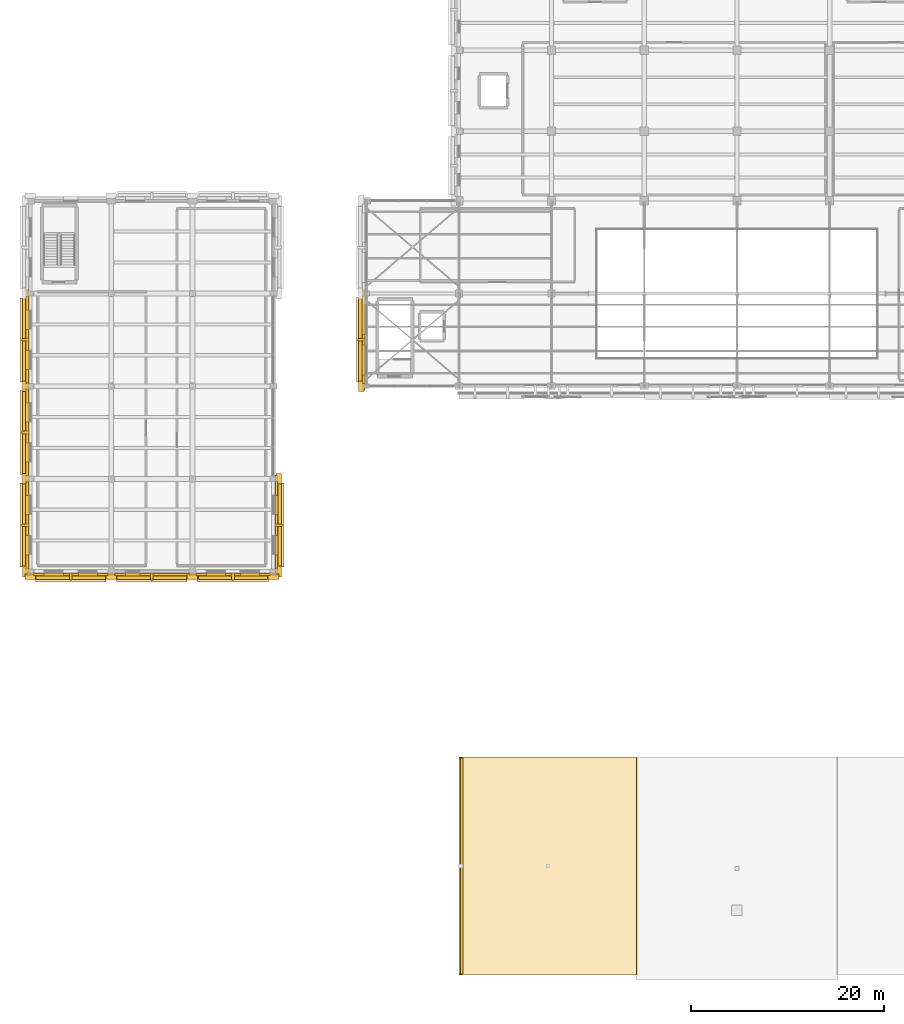
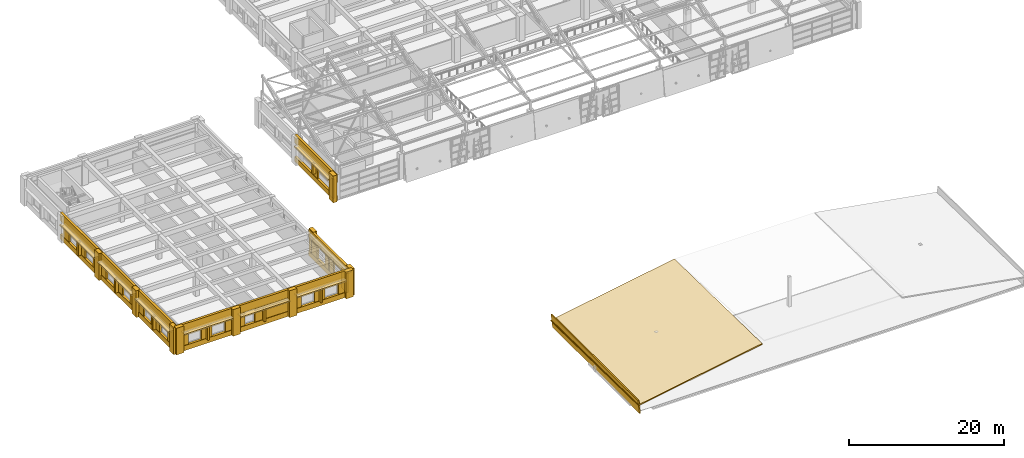
# One storey, part 52 of 58: 66 coverings, 8 shading devices.
"""IFC4 building model written with IfcOpenShell, lengths in metres."""

from ifc_helpers import new_model, si_unit, direction, frame, origin, origin_2d, place, context, subcontext, project, spatial, polyline, rectangle, outline, extrude, material, layer, layer_set, type_object, element, save


model = new_model("IFC4")

# Units and contexts
model_context = context("Model", 3, precision=1e-05, world=origin(), true_north=direction((0.0, 1.0)))
body_context = subcontext(model_context, "Body", "Model", "MODEL_VIEW")
ifc_project = project(units=[si_unit("LENGTHUNIT", "METRE"), si_unit("AREAUNIT", "SQUARE_METRE"), si_unit("VOLUMEUNIT", "CUBIC_METRE"), si_unit("PLANEANGLEUNIT", "RADIAN"), si_unit("MASSUNIT", "GRAM", prefix="KILO")], contexts=[model_context])

# Site, building, storey
site_placement = place(None, origin())
site = spatial("IfcSite", under=ifc_project, at=site_placement, CompositionType="ELEMENT")
building_placement = place(site_placement, origin())
building = spatial("IfcBuilding", under=site, at=building_placement, Name="Bempovik Park Faculty of Sciences", CompositionType="ELEMENT")
storey_placement = place(building_placement, frame((0.0, 0.0, 18.300048828125)))
storey = spatial("IfcBuildingStorey", under=building, at=storey_placement, Name="L04", CompositionType="ELEMENT", Elevation=18.300048828125)

# Coverings
ifc_material_1 = material(Name="White reconstituted limestone precast C40/50", Category="masonry")
ifc_layer_1 = layer(ifc_material_1, 0.1201171875)
ifc_layer_set_1 = layer_set([ifc_layer_1], Name="White reconstituted limestone precast C40/50")
covering_type_1 = type_object("IfcCoveringType", Name="CL-01 Crystal Limestone Facet 120mm", PredefinedType="CLADDING", material=ifc_layer_set_1)
covering_1_placement = place(storey_placement, frame((60.0, 6.800048828125, 1.300048828125), z_axis=(-0.171313457304, 0.017441226726, 0.985062182279), x_axis=(0.98521204265, 0.0, 0.171339519717)))
element("IfcCovering", 1, at=covering_1_placement, inside=storey, type_object=covering_type_1, Name="Learning Commons Elevated Crystal Roof Facet LC-FAC-SW", PredefinedType="CLADDING", context=body_context, shape_type="SweptSolid", body=[
    extrude(outline(polyline([(0.0, 0.0), (18.676083469558627, -6.938893903907228e-18), (18.607522563109235, 22.60329169698016), (-0.06856090644939188, 22.60329169698016), (0.0, 0.0)])), origin(), (0.0, 0.0, -1.0), 0.159912109375),
])
covering_2_placement = place(storey_placement, frame((60.31884765625, 18.10009765625, -0.193359375), z_axis=(-0.113203213768, 0.0, 0.993571855677), x_axis=(0.0, 1.0, 0.0)))
element("IfcCovering", 2, at=covering_2_placement, inside=storey, type_object=covering_type_1, Name="Learning Commons Crystal Side Clerestory Facet LC-CRYS-W", PredefinedType="CLADDING", context=body_context, shape_type="SweptSolid", body=[
    extrude(rectangle(XDim=22.39990234375, YDim=0.179931640625, at=origin_2d()), origin(), (0.0, 0.0, 1.0), 2.10009765625),
])
ifc_material_2 = material(Name="Precast concrete C40/50", Category="concrete")
ifc_layer_2 = layer(ifc_material_2, 0.179931640625)
ifc_layer_set_2 = layer_set([ifc_layer_2], Name="Precast concrete C40/50")
covering_type_2 = type_object("IfcCoveringType", Name="CL-02 Classical Cornice Band 180mm", PredefinedType="CLADDING", material=ifc_layer_set_2)
for number, where, z_axis, x_axis, name in (
    (3, (15.0, 53.39990234375, 2.81005859375), (0.0, 0.0, 1.0), (1.0, 0.0, 0.0), "L04 Classical Stone Solar Window Hood EW-L04-9303"),
    (4, (15.0, 63.0, 2.81005859375), (0.0, 0.0, 1.0), (1.0, 0.0, 0.0), "L04 Classical Stone Solar Window Hood EW-L04-9316"),
    (5, (15.0, 72.60009765625, 2.81005859375), (0.0, 0.0, 1.0), (1.0, 0.0, 0.0), "L04 Classical Stone Solar Window Hood EW-L04-9328"),
    (6, (41.39990234375, 53.39990234375, 2.81005859375), (0.0, 0.0, 1.0), (1.0, 0.0, 0.0), "L04 Classical Stone Solar Window Hood EW-L04-9381"),
):
    element("IfcCovering", number, at=place(storey_placement, frame(where, z_axis=z_axis, x_axis=x_axis)), inside=storey, type_object=covering_type_2, Name=name, PredefinedType="CLADDING", context=body_context, shape_type="SweptSolid", body=[
        extrude(rectangle(XDim=0.919921875, YDim=8.7060546875, at=origin_2d()), origin(), (0.0, 0.0, 1.0), 0.219970703125),
    ])
for number, where, z_axis, x_axis, name in (
    (7, (19.800048828125, 48.0, 2.81005859375), (0.0, 0.0, 1.0), (1.0, 0.0, 0.0), "L04 Classical Stone Solar Window Hood EW-L04-9443"),
    (8, (28.199951171875, 48.0, 2.60986328125), (0.0, 0.0, 1.0), (1.0, 0.0, 0.0), "L04 Classical Stone Solar Window Hood EW-L04-9456"),
    (9, (36.60009765625, 48.0, 2.81005859375), (0.0, 0.0, 1.0), (1.0, 0.0, 0.0), "L04 Classical Stone Solar Window Hood EW-L04-9466"),
):
    element("IfcCovering", number, at=place(storey_placement, frame(where, z_axis=z_axis, x_axis=x_axis)), inside=storey, type_object=covering_type_2, Name=name, PredefinedType="CLADDING", context=body_context, shape_type="SweptSolid", body=[
        extrude(rectangle(XDim=7.325927734375, YDim=0.919921875, at=origin_2d()), origin(), (0.0, 0.0, 1.0), 0.219970703125),
    ])
covering_3_placement = place(storey_placement, frame((49.830078125, 72.60009765625, 2.91015625), z_axis=(0.0, 0.0, 1.0), x_axis=(1.0, 0.0, 0.0)))
element("IfcCovering", 10, at=covering_3_placement, inside=storey, type_object=covering_type_2, Name="L04 Classical Stone Solar Window Hood EW-L04-9658", PredefinedType="CLADDING", context=body_context, shape_type="SweptSolid", body=[
    extrude(rectangle(XDim=0.919921875, YDim=8.74609375, at=origin_2d()), origin(), (0.0, 0.0, 1.0), 0.219970703125),
])
ifc_layer_3 = layer(ifc_material_1, 0.239990234375)
ifc_layer_set_3 = layer_set([ifc_layer_3], Name="White reconstituted limestone precast C40/50")
covering_type_3 = type_object("IfcCoveringType", Name="CL-03 Classical Fluted Limestone Pilaster 240mm", PredefinedType="CLADDING", material=ifc_layer_set_3)
covering_4_placement = place(storey_placement, frame((15.2900390625, 53.39990234375, 2.919921875), z_axis=(0.0, 0.0, 1.0), x_axis=(1.0, 0.0, 0.0)))
element("IfcCovering", 11, at=covering_4_placement, inside=storey, type_object=covering_type_3, Name="L04 Classical Limestone Spandrel Entablature EW-L04-9303", PredefinedType="CLADDING", context=body_context, shape_type="SweptSolid", body=[
    extrude(rectangle(XDim=0.340087890625, YDim=10.406005859375, at=origin_2d()), origin(), (0.0, 0.0, 1.0), 1.280029296875),
])
covering_5_placement = place(storey_placement, frame((15.2900390625, 53.39990234375, 0.0), z_axis=(0.0, 0.0, 1.0), x_axis=(1.0, 0.0, 0.0)))
element("IfcCovering", 12, at=covering_5_placement, inside=storey, type_object=covering_type_3, Name="L04 Classical Limestone Sill Dado EW-L04-9303", PredefinedType="CLADDING", context=body_context, shape_type="SweptSolid", body=[
    extrude(rectangle(XDim=0.340087890625, YDim=10.406005859375, at=origin_2d()), origin(), (0.0, 0.0, 1.0), 0.780029296875),
])
for number, where, z_axis, x_axis, name in (
    (13, (15.070068359375, 48.60009765625, 0.0), (0.0, 0.0, 1.0), (1.0, 0.0, 0.0), "L04 Classical Fluted Stone Pilaster PIL-BA-L04-151-486"),
    (14, (15.070068359375, 58.199951171875, 0.0), (0.0, 0.0, 1.0), (1.0, 0.0, 0.0), "L04 Classical Fluted Stone Pilaster PIL-BA-L04-151-582"),
):
    element("IfcCovering", number, at=place(storey_placement, frame(where, z_axis=z_axis, x_axis=x_axis)), inside=storey, type_object=covering_type_3, Name=name, PredefinedType="CLADDING", context=body_context, shape_type="SweptSolid", body=[
        extrude(rectangle(XDim=0.580078125, YDim=1.10009765625, at=origin_2d()), origin(), (0.0, 0.0, 1.0), 4.199951171875),
    ])
covering_6_placement = place(storey_placement, frame((15.300048828125, 49.599609375, 0.0), z_axis=(0.0, 0.0, 1.0), x_axis=(1.0, 0.0, 0.0)))
element("IfcCovering", 15, at=covering_6_placement, inside=storey, type_object=covering_type_3, Name="L04 White Limestone Wall Cheek EW-L04-9303-0", PredefinedType="CLADDING", context=body_context, shape_type="SweptSolid", body=[
    extrude(rectangle(XDim=0.239990234375, YDim=1.455078125, at=origin_2d()), origin(), (0.0, 0.0, 1.0), 3.080078125),
])
covering_7_placement = place(storey_placement, frame((15.300048828125, 53.39990234375, 0.0), z_axis=(0.0, 0.0, 1.0), x_axis=(1.0, 0.0, 0.0)))
element("IfcCovering", 16, at=covering_7_placement, inside=storey, type_object=covering_type_3, Name="L04 White Limestone Wall Cheek EW-L04-9303-2", PredefinedType="CLADDING", context=body_context, shape_type="SweptSolid", body=[
    extrude(rectangle(XDim=0.239990234375, YDim=2.185791015625, at=origin_2d()), origin(), (0.0, 0.0, 1.0), 3.080078125),
])
covering_8_placement = place(storey_placement, frame((15.300048828125, 57.200439453125, 0.0), z_axis=(0.0, 0.0, 1.0), x_axis=(1.0, 0.0, 0.0)))
element("IfcCovering", 17, at=covering_8_placement, inside=storey, type_object=covering_type_3, Name="L04 White Limestone Wall Cheek EW-L04-9303-4", PredefinedType="CLADDING", context=body_context, shape_type="SweptSolid", body=[
    extrude(rectangle(XDim=0.239990234375, YDim=1.455078125, at=origin_2d()), origin(), (0.0, 0.0, 1.0), 3.080078125),
])
covering_9_placement = place(storey_placement, frame((15.090087890625, 53.39990234375, 0.699951171875), z_axis=(0.0, 0.0, 1.0), x_axis=(1.0, 0.0, 0.0)))
element("IfcCovering", 18, at=covering_9_placement, inside=storey, type_object=covering_type_3, Name="L04 Classical Vertical Stone Shading Fin EW-L04-9303", PredefinedType="CLADDING", context=body_context, shape_type="SweptSolid", body=[
    extrude(rectangle(XDim=0.719970703125, YDim=0.280029296875, at=origin_2d()), origin(), (0.0, 0.0, 1.0), 2.14990234375),
])
covering_10_placement = place(storey_placement, frame((15.2900390625, 63.0, 2.919921875), z_axis=(0.0, 0.0, 1.0), x_axis=(1.0, 0.0, 0.0)))
element("IfcCovering", 19, at=covering_10_placement, inside=storey, type_object=covering_type_3, Name="L04 Classical Limestone Spandrel Entablature EW-L04-9316", PredefinedType="CLADDING", context=body_context, shape_type="SweptSolid", body=[
    extrude(rectangle(XDim=0.340087890625, YDim=10.406005859375, at=origin_2d()), origin(), (0.0, 0.0, 1.0), 1.280029296875),
])
covering_11_placement = place(storey_placement, frame((15.2900390625, 63.0, 0.0), z_axis=(0.0, 0.0, 1.0), x_axis=(1.0, 0.0, 0.0)))
element("IfcCovering", 20, at=covering_11_placement, inside=storey, type_object=covering_type_3, Name="L04 Classical Limestone Sill Dado EW-L04-9316", PredefinedType="CLADDING", context=body_context, shape_type="SweptSolid", body=[
    extrude(rectangle(XDim=0.340087890625, YDim=10.406005859375, at=origin_2d()), origin(), (0.0, 0.0, 1.0), 0.780029296875),
])
covering_12_placement = place(storey_placement, frame((15.070068359375, 67.800048828125, 0.0), z_axis=(0.0, 0.0, 1.0), x_axis=(1.0, 0.0, 0.0)))
element("IfcCovering", 21, at=covering_12_placement, inside=storey, type_object=covering_type_3, Name="L04 Classical Fluted Stone Pilaster PIL-BA-L04-151-678", PredefinedType="CLADDING", context=body_context, shape_type="SweptSolid", body=[
    extrude(rectangle(XDim=0.580078125, YDim=1.10009765625, at=origin_2d()), origin(), (0.0, 0.0, 1.0), 4.199951171875),
])
covering_13_placement = place(storey_placement, frame((15.300048828125, 59.19970703125, 0.0), z_axis=(0.0, 0.0, 1.0), x_axis=(1.0, 0.0, 0.0)))
element("IfcCovering", 22, at=covering_13_placement, inside=storey, type_object=covering_type_3, Name="L04 White Limestone Wall Cheek EW-L04-9316-0", PredefinedType="CLADDING", context=body_context, shape_type="SweptSolid", body=[
    extrude(rectangle(XDim=0.239990234375, YDim=1.455078125, at=origin_2d()), origin(), (0.0, 0.0, 1.0), 3.080078125),
])
covering_14_placement = place(storey_placement, frame((15.300048828125, 63.0, 0.0), z_axis=(0.0, 0.0, 1.0), x_axis=(1.0, 0.0, 0.0)))
element("IfcCovering", 23, at=covering_14_placement, inside=storey, type_object=covering_type_3, Name="L04 White Limestone Wall Cheek EW-L04-9316-2", PredefinedType="CLADDING", context=body_context, shape_type="SweptSolid", body=[
    extrude(rectangle(XDim=0.239990234375, YDim=2.185791015625, at=origin_2d()), origin(), (0.0, 0.0, 1.0), 3.080078125),
])
covering_15_placement = place(storey_placement, frame((15.300048828125, 66.80029296875, 0.0), z_axis=(0.0, 0.0, 1.0), x_axis=(1.0, 0.0, 0.0)))
element("IfcCovering", 24, at=covering_15_placement, inside=storey, type_object=covering_type_3, Name="L04 White Limestone Wall Cheek EW-L04-9316-4", PredefinedType="CLADDING", context=body_context, shape_type="SweptSolid", body=[
    extrude(rectangle(XDim=0.239990234375, YDim=1.455078125, at=origin_2d()), origin(), (0.0, 0.0, 1.0), 3.080078125),
])
covering_16_placement = place(storey_placement, frame((15.090087890625, 63.0, 0.699951171875), z_axis=(0.0, 0.0, 1.0), x_axis=(1.0, 0.0, 0.0)))
element("IfcCovering", 25, at=covering_16_placement, inside=storey, type_object=covering_type_3, Name="L04 Classical Vertical Stone Shading Fin EW-L04-9316", PredefinedType="CLADDING", context=body_context, shape_type="SweptSolid", body=[
    extrude(rectangle(XDim=0.719970703125, YDim=0.280029296875, at=origin_2d()), origin(), (0.0, 0.0, 1.0), 2.14990234375),
])
covering_17_placement = place(storey_placement, frame((15.2900390625, 72.60009765625, 2.919921875), z_axis=(0.0, 0.0, 1.0), x_axis=(1.0, 0.0, 0.0)))
element("IfcCovering", 26, at=covering_17_placement, inside=storey, type_object=covering_type_3, Name="L04 Classical Limestone Spandrel Entablature EW-L04-9328", PredefinedType="CLADDING", context=body_context, shape_type="SweptSolid", body=[
    extrude(rectangle(XDim=0.340087890625, YDim=10.406005859375, at=origin_2d()), origin(), (0.0, 0.0, 1.0), 1.280029296875),
])
covering_18_placement = place(storey_placement, frame((15.2900390625, 72.60009765625, 0.0), z_axis=(0.0, 0.0, 1.0), x_axis=(1.0, 0.0, 0.0)))
element("IfcCovering", 27, at=covering_18_placement, inside=storey, type_object=covering_type_3, Name="L04 Classical Limestone Sill Dado EW-L04-9328", PredefinedType="CLADDING", context=body_context, shape_type="SweptSolid", body=[
    extrude(rectangle(XDim=0.340087890625, YDim=10.406005859375, at=origin_2d()), origin(), (0.0, 0.0, 1.0), 0.780029296875),
])
covering_19_placement = place(storey_placement, frame((15.300048828125, 68.799560546875, 0.0), z_axis=(0.0, 0.0, 1.0), x_axis=(1.0, 0.0, 0.0)))
element("IfcCovering", 28, at=covering_19_placement, inside=storey, type_object=covering_type_3, Name="L04 White Limestone Wall Cheek EW-L04-9328-0", PredefinedType="CLADDING", context=body_context, shape_type="SweptSolid", body=[
    extrude(rectangle(XDim=0.239990234375, YDim=1.455078125, at=origin_2d()), origin(), (0.0, 0.0, 1.0), 3.080078125),
])
covering_20_placement = place(storey_placement, frame((15.300048828125, 72.60009765625, 0.0), z_axis=(0.0, 0.0, 1.0), x_axis=(1.0, 0.0, 0.0)))
element("IfcCovering", 29, at=covering_20_placement, inside=storey, type_object=covering_type_3, Name="L04 White Limestone Wall Cheek EW-L04-9328-2", PredefinedType="CLADDING", context=body_context, shape_type="SweptSolid", body=[
    extrude(rectangle(XDim=0.239990234375, YDim=2.185791015625, at=origin_2d()), origin(), (0.0, 0.0, 1.0), 3.080078125),
])
covering_21_placement = place(storey_placement, frame((15.300048828125, 76.400390625, 0.0), z_axis=(0.0, 0.0, 1.0), x_axis=(1.0, 0.0, 0.0)))
element("IfcCovering", 30, at=covering_21_placement, inside=storey, type_object=covering_type_3, Name="L04 White Limestone Wall Cheek EW-L04-9328-4", PredefinedType="CLADDING", context=body_context, shape_type="SweptSolid", body=[
    extrude(rectangle(XDim=0.239990234375, YDim=1.455078125, at=origin_2d()), origin(), (0.0, 0.0, 1.0), 3.080078125),
])
covering_22_placement = place(storey_placement, frame((15.090087890625, 72.60009765625, 0.699951171875), z_axis=(0.0, 0.0, 1.0), x_axis=(1.0, 0.0, 0.0)))
element("IfcCovering", 31, at=covering_22_placement, inside=storey, type_object=covering_type_3, Name="L04 Classical Vertical Stone Shading Fin EW-L04-9328", PredefinedType="CLADDING", context=body_context, shape_type="SweptSolid", body=[
    extrude(rectangle(XDim=0.719970703125, YDim=0.280029296875, at=origin_2d()), origin(), (0.0, 0.0, 1.0), 2.14990234375),
])
covering_23_placement = place(storey_placement, frame((41.110107421875, 53.39990234375, 2.919921875), z_axis=(0.0, 0.0, 1.0), x_axis=(1.0, 0.0, 0.0)))
element("IfcCovering", 32, at=covering_23_placement, inside=storey, type_object=covering_type_3, Name="L04 Classical Limestone Spandrel Entablature EW-L04-9381", PredefinedType="CLADDING", context=body_context, shape_type="SweptSolid", body=[
    extrude(rectangle(XDim=0.340087890625, YDim=10.406005859375, at=origin_2d()), origin(), (0.0, 0.0, 1.0), 1.280029296875),
])
covering_24_placement = place(storey_placement, frame((41.110107421875, 53.39990234375, 0.0), z_axis=(0.0, 0.0, 1.0), x_axis=(1.0, 0.0, 0.0)))
element("IfcCovering", 33, at=covering_24_placement, inside=storey, type_object=covering_type_3, Name="L04 Classical Limestone Sill Dado EW-L04-9381", PredefinedType="CLADDING", context=body_context, shape_type="SweptSolid", body=[
    extrude(rectangle(XDim=0.340087890625, YDim=10.406005859375, at=origin_2d()), origin(), (0.0, 0.0, 1.0), 0.780029296875),
])
for number, where, z_axis, x_axis, name in (
    (34, (41.330078125, 48.60009765625, 0.0), (0.0, 0.0, 1.0), (1.0, 0.0, 0.0), "L04 Classical Fluted Stone Pilaster PIL-BA-L04-413-486"),
    (35, (41.330078125, 58.199951171875, 0.0), (0.0, 0.0, 1.0), (1.0, 0.0, 0.0), "L04 Classical Fluted Stone Pilaster PIL-BA-L04-413-582"),
):
    element("IfcCovering", number, at=place(storey_placement, frame(where, z_axis=z_axis, x_axis=x_axis)), inside=storey, type_object=covering_type_3, Name=name, PredefinedType="CLADDING", context=body_context, shape_type="SweptSolid", body=[
        extrude(rectangle(XDim=0.580078125, YDim=1.10009765625, at=origin_2d()), origin(), (0.0, 0.0, 1.0), 4.199951171875),
    ])
covering_25_placement = place(storey_placement, frame((41.10009765625, 49.599609375, 0.0), z_axis=(0.0, 0.0, 1.0), x_axis=(1.0, 0.0, 0.0)))
element("IfcCovering", 36, at=covering_25_placement, inside=storey, type_object=covering_type_3, Name="L04 White Limestone Wall Cheek EW-L04-9381-0", PredefinedType="CLADDING", context=body_context, shape_type="SweptSolid", body=[
    extrude(rectangle(XDim=0.239990234375, YDim=1.455078125, at=origin_2d()), origin(), (0.0, 0.0, 1.0), 3.080078125),
])
covering_26_placement = place(storey_placement, frame((41.10009765625, 53.39990234375, 0.0), z_axis=(0.0, 0.0, 1.0), x_axis=(1.0, 0.0, 0.0)))
element("IfcCovering", 37, at=covering_26_placement, inside=storey, type_object=covering_type_3, Name="L04 White Limestone Wall Cheek EW-L04-9381-2", PredefinedType="CLADDING", context=body_context, shape_type="SweptSolid", body=[
    extrude(rectangle(XDim=0.239990234375, YDim=2.185791015625, at=origin_2d()), origin(), (0.0, 0.0, 1.0), 3.080078125),
])
covering_27_placement = place(storey_placement, frame((41.10009765625, 57.200439453125, 0.0), z_axis=(0.0, 0.0, 1.0), x_axis=(1.0, 0.0, 0.0)))
element("IfcCovering", 38, at=covering_27_placement, inside=storey, type_object=covering_type_3, Name="L04 White Limestone Wall Cheek EW-L04-9381-4", PredefinedType="CLADDING", context=body_context, shape_type="SweptSolid", body=[
    extrude(rectangle(XDim=0.239990234375, YDim=1.455078125, at=origin_2d()), origin(), (0.0, 0.0, 1.0), 3.080078125),
])
covering_28_placement = place(storey_placement, frame((41.31005859375, 53.39990234375, 0.699951171875), z_axis=(0.0, 0.0, 1.0), x_axis=(1.0, 0.0, 0.0)))
element("IfcCovering", 39, at=covering_28_placement, inside=storey, type_object=covering_type_3, Name="L04 Classical Vertical Stone Shading Fin EW-L04-9381", PredefinedType="CLADDING", context=body_context, shape_type="SweptSolid", body=[
    extrude(rectangle(XDim=0.719970703125, YDim=0.280029296875, at=origin_2d()), origin(), (0.0, 0.0, 1.0), 2.14990234375),
])
covering_29_placement = place(storey_placement, frame((19.800048828125, 48.2900390625, 2.919921875), z_axis=(0.0, 0.0, 1.0), x_axis=(1.0, 0.0, 0.0)))
element("IfcCovering", 40, at=covering_29_placement, inside=storey, type_object=covering_type_3, Name="L04 Classical Limestone Spandrel Entablature EW-L04-9443", PredefinedType="CLADDING", context=body_context, shape_type="SweptSolid", body=[
    extrude(rectangle(XDim=9.02587890625, YDim=0.340087890625, at=origin_2d()), origin(), (0.0, 0.0, 1.0), 1.280029296875),
])
covering_30_placement = place(storey_placement, frame((19.800048828125, 48.2900390625, 0.0), z_axis=(0.0, 0.0, 1.0), x_axis=(1.0, 0.0, 0.0)))
element("IfcCovering", 41, at=covering_30_placement, inside=storey, type_object=covering_type_3, Name="L04 Classical Limestone Sill Dado EW-L04-9443", PredefinedType="CLADDING", context=body_context, shape_type="SweptSolid", body=[
    extrude(rectangle(XDim=9.02587890625, YDim=0.340087890625, at=origin_2d()), origin(), (0.0, 0.0, 1.0), 0.780029296875),
])
for number, where, z_axis, x_axis, name in (
    (42, (15.60009765625, 48.070068359375, 0.0), (0.0, 0.0, 1.0), (1.0, 0.0, 0.0), "L04 Classical Fluted Stone Pilaster PIL-BA-L04-156-481"),
    (43, (24.0, 48.070068359375, 0.0), (0.0, 0.0, 1.0), (1.0, 0.0, 0.0), "L04 Classical Fluted Stone Pilaster PIL-BA-L04-240-481"),
):
    element("IfcCovering", number, at=place(storey_placement, frame(where, z_axis=z_axis, x_axis=x_axis)), inside=storey, type_object=covering_type_3, Name=name, PredefinedType="CLADDING", context=body_context, shape_type="SweptSolid", body=[
        extrude(rectangle(XDim=1.10009765625, YDim=0.580078125, at=origin_2d()), origin(), (0.0, 0.0, 1.0), 4.199951171875),
    ])
covering_31_placement = place(storey_placement, frame((16.50341796875, 48.300048828125, 0.0), z_axis=(0.0, 0.0, 1.0), x_axis=(1.0, 0.0, 0.0)))
element("IfcCovering", 44, at=covering_31_placement, inside=storey, type_object=covering_type_3, Name="L04 White Limestone Wall Cheek EW-L04-9443-0", PredefinedType="CLADDING", context=body_context, shape_type="SweptSolid", body=[
    extrude(rectangle(XDim=1.08251953125, YDim=0.239990234375, at=origin_2d()), origin(), (0.0, 0.0, 1.0), 3.080078125),
])
covering_32_placement = place(storey_placement, frame((19.800048828125, 48.300048828125, 0.0), z_axis=(0.0, 0.0, 1.0), x_axis=(1.0, 0.0, 0.0)))
element("IfcCovering", 45, at=covering_32_placement, inside=storey, type_object=covering_type_3, Name="L04 White Limestone Wall Cheek EW-L04-9443-2", PredefinedType="CLADDING", context=body_context, shape_type="SweptSolid", body=[
    extrude(rectangle(XDim=1.551025390625, YDim=0.239990234375, at=origin_2d()), origin(), (0.0, 0.0, 1.0), 3.080078125),
])
covering_33_placement = place(storey_placement, frame((23.0966796875, 48.300048828125, 0.0), z_axis=(0.0, 0.0, 1.0), x_axis=(1.0, 0.0, 0.0)))
element("IfcCovering", 46, at=covering_33_placement, inside=storey, type_object=covering_type_3, Name="L04 White Limestone Wall Cheek EW-L04-9443-4", PredefinedType="CLADDING", context=body_context, shape_type="SweptSolid", body=[
    extrude(rectangle(XDim=1.08251953125, YDim=0.239990234375, at=origin_2d()), origin(), (0.0, 0.0, 1.0), 3.080078125),
])
covering_34_placement = place(storey_placement, frame((19.800048828125, 48.090087890625, 0.699951171875), z_axis=(0.0, 0.0, 1.0), x_axis=(1.0, 0.0, 0.0)))
element("IfcCovering", 47, at=covering_34_placement, inside=storey, type_object=covering_type_3, Name="L04 Classical Vertical Stone Shading Fin EW-L04-9443", PredefinedType="CLADDING", context=body_context, shape_type="SweptSolid", body=[
    extrude(rectangle(XDim=0.280029296875, YDim=0.719970703125, at=origin_2d()), origin(), (0.0, 0.0, 1.0), 2.14990234375),
])
covering_35_placement = place(storey_placement, frame((28.199951171875, 48.2900390625, 2.919921875), z_axis=(0.0, 0.0, 1.0), x_axis=(1.0, 0.0, 0.0)))
element("IfcCovering", 48, at=covering_35_placement, inside=storey, type_object=covering_type_3, Name="L04 Classical Limestone Spandrel Entablature EW-L04-9456", PredefinedType="CLADDING", context=body_context, shape_type="SweptSolid", body=[
    extrude(rectangle(XDim=9.02587890625, YDim=0.340087890625, at=origin_2d()), origin(), (0.0, 0.0, 1.0), 1.280029296875),
])
covering_36_placement = place(storey_placement, frame((28.199951171875, 48.2900390625, 0.0), z_axis=(0.0, 0.0, 1.0), x_axis=(1.0, 0.0, 0.0)))
element("IfcCovering", 49, at=covering_36_placement, inside=storey, type_object=covering_type_3, Name="L04 Classical Limestone Sill Dado EW-L04-9456", PredefinedType="CLADDING", context=body_context, shape_type="SweptSolid", body=[
    extrude(rectangle(XDim=9.02587890625, YDim=0.340087890625, at=origin_2d()), origin(), (0.0, 0.0, 1.0), 0.780029296875),
])
covering_37_placement = place(storey_placement, frame((32.39990234375, 48.070068359375, 0.0), z_axis=(0.0, 0.0, 1.0), x_axis=(1.0, 0.0, 0.0)))
element("IfcCovering", 50, at=covering_37_placement, inside=storey, type_object=covering_type_3, Name="L04 Classical Fluted Stone Pilaster PIL-BA-L04-324-481", PredefinedType="CLADDING", context=body_context, shape_type="SweptSolid", body=[
    extrude(rectangle(XDim=1.10009765625, YDim=0.580078125, at=origin_2d()), origin(), (0.0, 0.0, 1.0), 4.199951171875),
])
covering_38_placement = place(storey_placement, frame((24.9130859375, 48.300048828125, 0.0), z_axis=(0.0, 0.0, 1.0), x_axis=(1.0, 0.0, 0.0)))
element("IfcCovering", 51, at=covering_38_placement, inside=storey, type_object=covering_type_3, Name="L04 White Limestone Wall Cheek EW-L04-9456-0", PredefinedType="CLADDING", context=body_context, shape_type="SweptSolid", body=[
    extrude(rectangle(XDim=1.102294921875, YDim=0.239990234375, at=origin_2d()), origin(), (0.0, 0.0, 1.0), 3.080078125),
])
covering_39_placement = place(storey_placement, frame((29.4912109375, 48.300048828125, 0.0), z_axis=(0.0, 0.0, 1.0), x_axis=(1.0, 0.0, 0.0)))
element("IfcCovering", 52, at=covering_39_placement, inside=storey, type_object=covering_type_3, Name="L04 White Limestone Wall Cheek EW-L04-9456-2", PredefinedType="CLADDING", context=body_context, shape_type="SweptSolid", body=[
    extrude(rectangle(XDim=5.09375, YDim=0.239990234375, at=origin_2d()), origin(), (0.0, 0.0, 1.0), 3.080078125),
])
covering_40_placement = place(storey_placement, frame((28.199951171875, 48.090087890625, 0.7001953125), z_axis=(0.0, 0.0, 1.0), x_axis=(1.0, 0.0, 0.0)))
element("IfcCovering", 53, at=covering_40_placement, inside=storey, type_object=covering_type_3, Name="L04 Classical Vertical Stone Shading Fin EW-L04-9456", PredefinedType="CLADDING", context=body_context, shape_type="SweptSolid", body=[
    extrude(rectangle(XDim=0.280029296875, YDim=0.719970703125, at=origin_2d()), origin(), (0.0, 0.0, 1.0), 1.949951171875),
])
covering_41_placement = place(storey_placement, frame((36.60009765625, 48.2900390625, 2.919921875), z_axis=(0.0, 0.0, 1.0), x_axis=(1.0, 0.0, 0.0)))
element("IfcCovering", 54, at=covering_41_placement, inside=storey, type_object=covering_type_3, Name="L04 Classical Limestone Spandrel Entablature EW-L04-9466", PredefinedType="CLADDING", context=body_context, shape_type="SweptSolid", body=[
    extrude(rectangle(XDim=9.02587890625, YDim=0.340087890625, at=origin_2d()), origin(), (0.0, 0.0, 1.0), 1.280029296875),
])
covering_42_placement = place(storey_placement, frame((36.60009765625, 48.2900390625, 0.0), z_axis=(0.0, 0.0, 1.0), x_axis=(1.0, 0.0, 0.0)))
element("IfcCovering", 55, at=covering_42_placement, inside=storey, type_object=covering_type_3, Name="L04 Classical Limestone Sill Dado EW-L04-9466", PredefinedType="CLADDING", context=body_context, shape_type="SweptSolid", body=[
    extrude(rectangle(XDim=9.02587890625, YDim=0.340087890625, at=origin_2d()), origin(), (0.0, 0.0, 1.0), 0.780029296875),
])
covering_43_placement = place(storey_placement, frame((40.800048828125, 48.070068359375, 0.0), z_axis=(0.0, 0.0, 1.0), x_axis=(1.0, 0.0, 0.0)))
element("IfcCovering", 56, at=covering_43_placement, inside=storey, type_object=covering_type_3, Name="L04 Classical Fluted Stone Pilaster PIL-BA-L04-408-481", PredefinedType="CLADDING", context=body_context, shape_type="SweptSolid", body=[
    extrude(rectangle(XDim=1.10009765625, YDim=0.580078125, at=origin_2d()), origin(), (0.0, 0.0, 1.0), 4.199951171875),
])
covering_44_placement = place(storey_placement, frame((33.30322265625, 48.300048828125, 0.0), z_axis=(0.0, 0.0, 1.0), x_axis=(1.0, 0.0, 0.0)))
element("IfcCovering", 57, at=covering_44_placement, inside=storey, type_object=covering_type_3, Name="L04 White Limestone Wall Cheek EW-L04-9466-0", PredefinedType="CLADDING", context=body_context, shape_type="SweptSolid", body=[
    extrude(rectangle(XDim=1.08251953125, YDim=0.239990234375, at=origin_2d()), origin(), (0.0, 0.0, 1.0), 3.080078125),
])
covering_45_placement = place(storey_placement, frame((36.60009765625, 48.300048828125, 0.0), z_axis=(0.0, 0.0, 1.0), x_axis=(1.0, 0.0, 0.0)))
element("IfcCovering", 58, at=covering_45_placement, inside=storey, type_object=covering_type_3, Name="L04 White Limestone Wall Cheek EW-L04-9466-2", PredefinedType="CLADDING", context=body_context, shape_type="SweptSolid", body=[
    extrude(rectangle(XDim=1.551025390625, YDim=0.239990234375, at=origin_2d()), origin(), (0.0, 0.0, 1.0), 3.080078125),
])
covering_46_placement = place(storey_placement, frame((39.896728515625, 48.300048828125, 0.0), z_axis=(0.0, 0.0, 1.0), x_axis=(1.0, 0.0, 0.0)))
element("IfcCovering", 59, at=covering_46_placement, inside=storey, type_object=covering_type_3, Name="L04 White Limestone Wall Cheek EW-L04-9466-4", PredefinedType="CLADDING", context=body_context, shape_type="SweptSolid", body=[
    extrude(rectangle(XDim=1.08251953125, YDim=0.239990234375, at=origin_2d()), origin(), (0.0, 0.0, 1.0), 3.080078125),
])
covering_47_placement = place(storey_placement, frame((36.60009765625, 48.090087890625, 0.699951171875), z_axis=(0.0, 0.0, 1.0), x_axis=(1.0, 0.0, 0.0)))
element("IfcCovering", 60, at=covering_47_placement, inside=storey, type_object=covering_type_3, Name="L04 Classical Vertical Stone Shading Fin EW-L04-9466", PredefinedType="CLADDING", context=body_context, shape_type="SweptSolid", body=[
    extrude(rectangle(XDim=0.280029296875, YDim=0.719970703125, at=origin_2d()), origin(), (0.0, 0.0, 1.0), 2.14990234375),
])
covering_48_placement = place(storey_placement, frame((50.1201171875, 72.60009765625, 2.919921875), z_axis=(0.0, 0.0, 1.0), x_axis=(1.0, 0.0, 0.0)))
element("IfcCovering", 61, at=covering_48_placement, inside=storey, type_object=covering_type_3, Name="L04 Classical Limestone Spandrel Entablature EW-L04-9658", PredefinedType="CLADDING", context=body_context, shape_type="SweptSolid", body=[
    extrude(rectangle(XDim=0.340087890625, YDim=10.446044921875, at=origin_2d()), origin(), (0.0, 0.0, 1.0), 1.280029296875),
])
covering_49_placement = place(storey_placement, frame((50.1201171875, 72.60009765625, 0.0), z_axis=(0.0, 0.0, 1.0), x_axis=(1.0, 0.0, 0.0)))
element("IfcCovering", 62, at=covering_49_placement, inside=storey, type_object=covering_type_3, Name="L04 Classical Limestone Sill Dado EW-L04-9658", PredefinedType="CLADDING", context=body_context, shape_type="SweptSolid", body=[
    extrude(rectangle(XDim=0.340087890625, YDim=10.446044921875, at=origin_2d()), origin(), (0.0, 0.0, 1.0), 0.780029296875),
])
covering_50_placement = place(storey_placement, frame((49.8701171875, 67.800048828125, 0.0), z_axis=(0.0, 0.0, 1.0), x_axis=(1.0, 0.0, 0.0)))
element("IfcCovering", 63, at=covering_50_placement, inside=storey, type_object=covering_type_3, Name="L04 Classical Fluted Stone Pilaster PIL-BA-L04-499-678", PredefinedType="CLADDING", context=body_context, shape_type="SweptSolid", body=[
    extrude(rectangle(XDim=0.580078125, YDim=1.10009765625, at=origin_2d()), origin(), (0.0, 0.0, 1.0), 4.199951171875),
])
covering_51_placement = place(storey_placement, frame((50.1298828125, 68.510009765625, 0.0), z_axis=(0.0, 0.0, 1.0), x_axis=(1.0, 0.0, 0.0)))
element("IfcCovering", 64, at=covering_51_placement, inside=storey, type_object=covering_type_3, Name="L04 White Limestone Wall Cheek EW-L04-9658-0", PredefinedType="CLADDING", context=body_context, shape_type="SweptSolid", body=[
    extrude(rectangle(XDim=0.239990234375, YDim=0.916015625, at=origin_2d()), origin(), (0.0, 0.0, 1.0), 3.080078125),
])
covering_52_placement = place(storey_placement, frame((50.1298828125, 72.60009765625, 0.0), z_axis=(0.0, 0.0, 1.0), x_axis=(1.0, 0.0, 0.0)))
element("IfcCovering", 65, at=covering_52_placement, inside=storey, type_object=covering_type_3, Name="L04 White Limestone Wall Cheek EW-L04-9658-2", PredefinedType="CLADDING", context=body_context, shape_type="SweptSolid", body=[
    extrude(rectangle(XDim=0.239990234375, YDim=1.104248046875, at=origin_2d()), origin(), (0.0, 0.0, 1.0), 3.080078125),
])
covering_53_placement = place(storey_placement, frame((49.919921875, 72.60009765625, 1.300048828125), z_axis=(0.0, 0.0, 1.0), x_axis=(1.0, 0.0, 0.0)))
element("IfcCovering", 66, at=covering_53_placement, inside=storey, type_object=covering_type_3, Name="L04 Classical Vertical Stone Shading Fin EW-L04-9658", PredefinedType="CLADDING", context=body_context, shape_type="SweptSolid", body=[
    extrude(rectangle(XDim=0.719970703125, YDim=0.280029296875, at=origin_2d()), origin(), (0.0, 0.0, 1.0), 1.64990234375),
])

# Shading devices
ifc_material_3 = material(Name="Anodised architectural bronze")
ifc_layer_4 = layer(ifc_material_3, 0.06005859375)
ifc_layer_set_4 = layer_set([ifc_layer_4], Name="Anodised architectural bronze")
shading_device_type = type_object("IfcShadingDeviceType", Name="SH-01 Bronze Brise-Soleil Fin", PredefinedType="USERDEFINED", material=ifc_layer_set_4)
for number, where, z_axis, x_axis, name in (
    (67, (15.1201171875, 53.39990234375, 2.75), (0.0, 0.0, 1.0), (1.0, 0.0, 0.0), "L04 Equatorial Bronze Brise-Soleil EW-L04-9303"),
    (68, (15.1201171875, 63.0, 2.75), (0.0, 0.0, 1.0), (1.0, 0.0, 0.0), "L04 Equatorial Bronze Brise-Soleil EW-L04-9316"),
    (69, (15.1201171875, 72.60009765625, 2.75), (0.0, 0.0, 1.0), (1.0, 0.0, 0.0), "L04 Equatorial Bronze Brise-Soleil EW-L04-9328"),
    (70, (41.280029296875, 53.39990234375, 2.75), (0.0, 0.0, 1.0), (1.0, 0.0, 0.0), "L04 Equatorial Bronze Brise-Soleil EW-L04-9381"),
):
    element("IfcShadingDevice", number, at=place(storey_placement, frame(where, z_axis=z_axis, x_axis=x_axis)), inside=storey, type_object=shading_device_type, Name=name, ObjectType="BRISE SOLEIL", PredefinedType="USERDEFINED", context=body_context, shape_type="SweptSolid", body=[
        extrude(rectangle(XDim=0.64990234375, YDim=8.555908203125, at=origin_2d()), origin(), (0.0, 0.0, 1.0), 0.06005859375),
    ])
for number, where, z_axis, x_axis, name in (
    (71, (19.800048828125, 48.1201171875, 2.75), (0.0, 0.0, 1.0), (1.0, 0.0, 0.0), "L04 Equatorial Bronze Brise-Soleil EW-L04-9443"),
    (72, (28.199951171875, 48.1201171875, 2.5498046875), (0.0, 0.0, 1.0), (1.0, 0.0, 0.0), "L04 Equatorial Bronze Brise-Soleil EW-L04-9456"),
    (73, (36.60009765625, 48.1201171875, 2.75), (0.0, 0.0, 1.0), (1.0, 0.0, 0.0), "L04 Equatorial Bronze Brise-Soleil EW-L04-9466"),
):
    element("IfcShadingDevice", number, at=place(storey_placement, frame(where, z_axis=z_axis, x_axis=x_axis)), inside=storey, type_object=shading_device_type, Name=name, ObjectType="BRISE SOLEIL", PredefinedType="USERDEFINED", context=body_context, shape_type="SweptSolid", body=[
        extrude(rectangle(XDim=7.176025390625, YDim=0.64990234375, at=origin_2d()), origin(), (0.0, 0.0, 1.0), 0.06005859375),
    ])
shading_device_placement = place(storey_placement, frame((49.949951171875, 72.60009765625, 2.849853515625), z_axis=(0.0, 0.0, 1.0), x_axis=(1.0, 0.0, 0.0)))
element("IfcShadingDevice", 74, at=shading_device_placement, inside=storey, type_object=shading_device_type, Name="L04 Equatorial Bronze Brise-Soleil EW-L04-9658", ObjectType="BRISE SOLEIL", PredefinedType="USERDEFINED", context=body_context, shape_type="SweptSolid", body=[
    extrude(rectangle(XDim=0.64990234375, YDim=8.595947265625, at=origin_2d()), origin(), (0.0, 0.0, 1.0), 0.06005859375),
])

save(model, "model.ifc")
